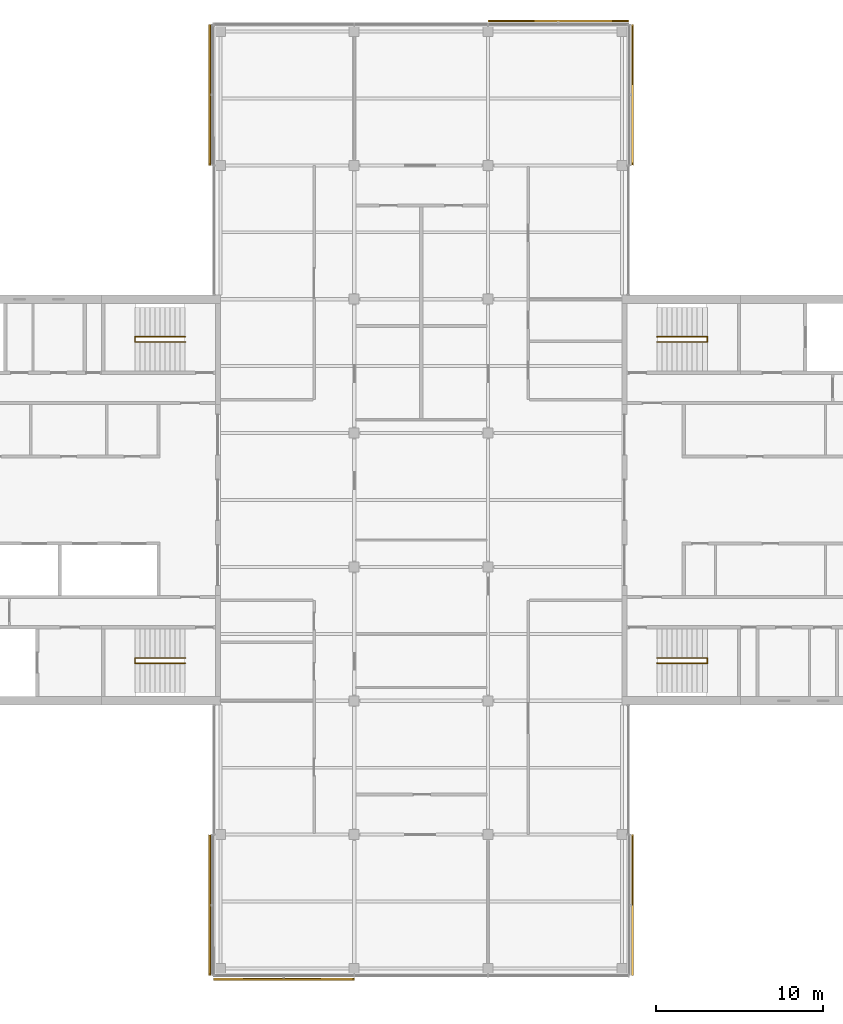
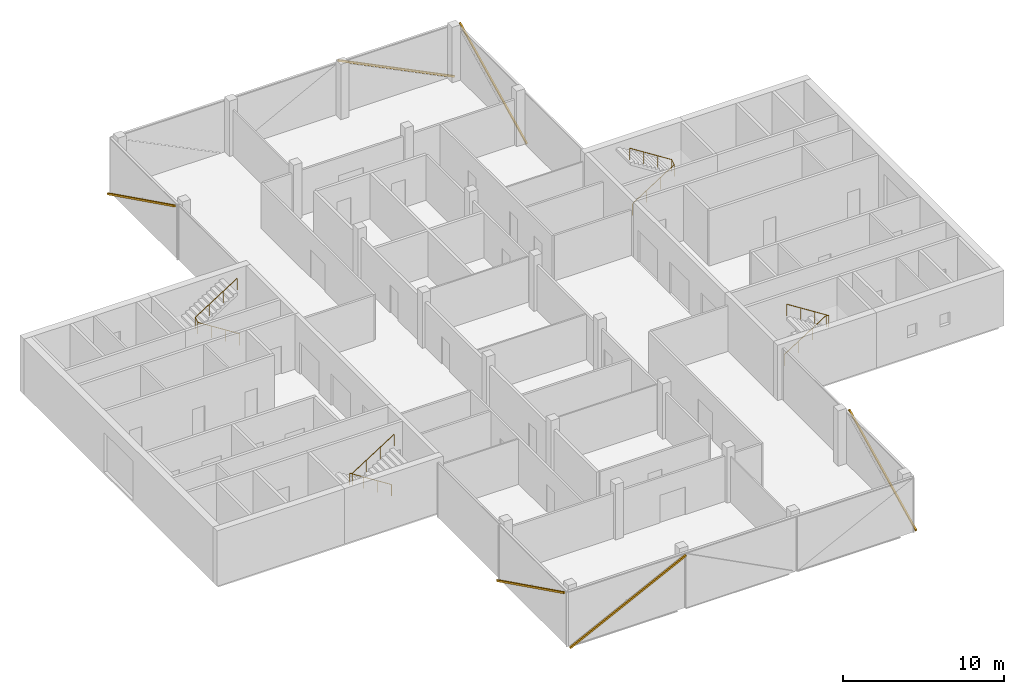
# One storey, part 16 of 16: 6 shading devices, 4 railings, 6 elements without a shape of their own.
"""IFC4 building model written with IfcOpenShell, lengths in metres."""

from ifc_helpers import new_model, si_unit, direction, frame, origin, origin_2d, place, context, subcontext, project, spatial, rectangle, circle, extrude, material, material_profile, profile_set, type_object, element, aggregate, save


model = new_model("IFC4")

# Units and contexts
model_context = context("Model", 3, precision=1e-05, world=origin(), true_north=direction((0.0, 1.0)))
body_context = subcontext(model_context, "Body", "Model", "MODEL_VIEW")
ifc_project = project(units=[si_unit("LENGTHUNIT", "METRE"), si_unit("AREAUNIT", "SQUARE_METRE"), si_unit("VOLUMEUNIT", "CUBIC_METRE"), si_unit("PLANEANGLEUNIT", "RADIAN"), si_unit("MASSUNIT", "GRAM", prefix="KILO")], contexts=[model_context])

# Site, building, storey
site_placement = place(None, origin())
site = spatial("IfcSite", under=ifc_project, at=site_placement, CompositionType="ELEMENT")
building_placement = place(site_placement, origin())
building = spatial("IfcBuilding", under=site, at=building_placement, Name="Crosswind Convention Tower", CompositionType="ELEMENT")
storey_placement = place(building_placement, frame((0.0, 0.0, 295.5)))
storey = spatial("IfcBuildingStorey", under=building, at=storey_placement, Name="L64", CompositionType="ELEMENT", Elevation=295.5)

# Railings
ifc_material_1 = material(Name="Stainless steel", Category="steel")
railing_type = type_object("IfcRailingType", Name="Stair handrail 900", PredefinedType="HANDRAIL", material=ifc_material_1)
railing_1_placement = place(storey_placement, frame((139.10009765625, 109.43994140625, 0.19091796875)))
element("IfcRailing", 1, at=railing_1_placement, inside=storey, type_object=railing_type, Name="Stair ST1 handrail L64", PredefinedType="HANDRAIL", context=body_context, shape_type="SweptSolid", body=[
    extrude(circle(Radius=0.02392578125, at=origin_2d()), frame((0.0, 0.0, 0.8759765625), z_axis=(0.843650179428, 0.0, 0.536893261973), x_axis=(0.0, 1.0, 0.0)), (0.0, 0.0, 1.0), 3.555908203125),
    extrude(circle(Radius=0.02392578125, at=origin_2d()), frame((3.0, 0.0, 2.78515625), z_axis=(0.0, 0.858819504967, 0.512278301208), x_axis=(-1.0, 0.0, 0.0)), (0.0, 0.0, 1.0), 0.372802734375),
    extrude(circle(Radius=0.02392578125, at=origin_2d()), frame((3.0, 0.320068359375, 2.97607421875), z_axis=(-0.843681277094, 0.0, 0.536844393359), x_axis=(0.0, -1.0, 0.0)), (0.0, 0.0, 1.0), 3.555908203125),
    extrude(circle(Radius=0.02099609375, at=origin_2d()), origin(), (0.0, 0.0, 1.0), 0.851806640625),
    extrude(circle(Radius=0.02099609375, at=origin_2d()), frame((1.0, 0.0, 0.636474609375)), (0.0, 0.0, 1.0), 0.851806640625),
    extrude(circle(Radius=0.02099609375, at=origin_2d()), frame((2.0, 0.0, 1.272705078125)), (0.0, 0.0, 1.0), 0.851806640625),
    extrude(circle(Radius=0.02099609375, at=origin_2d()), frame((3.0, 0.0, 1.9091796875)), (0.0, 0.0, 1.0), 0.851806640625),
    extrude(circle(Radius=0.02099609375, at=origin_2d()), frame((3.0, 0.320068359375, 2.10009765625)), (0.0, 0.0, 1.0), 0.851806640625),
    extrude(circle(Radius=0.02099609375, at=origin_2d()), frame((2.0, 0.320068359375, 2.736328125)), (0.0, 0.0, 1.0), 0.851806640625),
    extrude(circle(Radius=0.02099609375, at=origin_2d()), frame((1.0, 0.320068359375, 3.372802734375)), (0.0, 0.0, 1.0), 0.851806640625),
    extrude(circle(Radius=0.02099609375, at=origin_2d()), frame((0.0, 0.320068359375, 4.009033203125)), (0.0, 0.0, 1.0), 0.851806640625),
])
railing_2_placement = place(storey_placement, frame((139.10009765625, 90.56005859375, 0.19091796875)))
element("IfcRailing", 2, at=railing_2_placement, inside=storey, type_object=railing_type, Name="Stair ST2 handrail L64", PredefinedType="HANDRAIL", context=body_context, shape_type="SweptSolid", body=[
    extrude(circle(Radius=0.02392578125, at=origin_2d()), frame((0.0, 0.0, 0.8759765625), z_axis=(0.843650179428, 0.0, 0.536893261973), x_axis=(0.0, 1.0, 0.0)), (0.0, 0.0, 1.0), 3.555908203125),
    extrude(circle(Radius=0.02392578125, at=origin_2d()), frame((3.0, 0.0, 2.78515625), z_axis=(0.0, -0.858819504967, 0.512278301208), x_axis=(1.0, 0.0, 0.0)), (0.0, 0.0, 1.0), 0.372802734375),
    extrude(circle(Radius=0.02392578125, at=origin_2d()), frame((3.0, -0.320068359375, 2.97607421875), z_axis=(-0.843681277094, 0.0, 0.536844393359), x_axis=(0.0, -1.0, 0.0)), (0.0, 0.0, 1.0), 3.555908203125),
    extrude(circle(Radius=0.02099609375, at=origin_2d()), origin(), (0.0, 0.0, 1.0), 0.851806640625),
    extrude(circle(Radius=0.02099609375, at=origin_2d()), frame((1.0, 0.0, 0.636474609375)), (0.0, 0.0, 1.0), 0.851806640625),
    extrude(circle(Radius=0.02099609375, at=origin_2d()), frame((2.0, 0.0, 1.272705078125)), (0.0, 0.0, 1.0), 0.851806640625),
    extrude(circle(Radius=0.02099609375, at=origin_2d()), frame((3.0, 0.0, 1.9091796875)), (0.0, 0.0, 1.0), 0.851806640625),
    extrude(circle(Radius=0.02099609375, at=origin_2d()), frame((3.0, -0.320068359375, 2.10009765625)), (0.0, 0.0, 1.0), 0.851806640625),
    extrude(circle(Radius=0.02099609375, at=origin_2d()), frame((2.0, -0.320068359375, 2.736328125)), (0.0, 0.0, 1.0), 0.851806640625),
    extrude(circle(Radius=0.02099609375, at=origin_2d()), frame((1.0, -0.320068359375, 3.372802734375)), (0.0, 0.0, 1.0), 0.851806640625),
    extrude(circle(Radius=0.02099609375, at=origin_2d()), frame((0.0, -0.320068359375, 4.009033203125)), (0.0, 0.0, 1.0), 0.851806640625),
])
railing_3_placement = place(storey_placement, frame((110.89990234375, 90.56005859375, 0.19091796875)))
element("IfcRailing", 3, at=railing_3_placement, inside=storey, type_object=railing_type, Name="Stair ST3 handrail L64", PredefinedType="HANDRAIL", context=body_context, shape_type="SweptSolid", body=[
    extrude(circle(Radius=0.02392578125, at=origin_2d()), frame((0.0, 0.0, 0.8759765625), z_axis=(-0.843650179428, 0.0, 0.536893261973), x_axis=(0.0, -1.0, 0.0)), (0.0, 0.0, 1.0), 3.555908203125),
    extrude(circle(Radius=0.02392578125, at=origin_2d()), frame((-3.0, 0.0, 2.78515625), z_axis=(0.0, -0.858819504967, 0.512278301208), x_axis=(1.0, 0.0, 0.0)), (0.0, 0.0, 1.0), 0.372802734375),
    extrude(circle(Radius=0.02392578125, at=origin_2d()), frame((-3.0, -0.320068359375, 2.97607421875), z_axis=(0.843681277094, 0.0, 0.536844393359), x_axis=(0.0, 1.0, 0.0)), (0.0, 0.0, 1.0), 3.555908203125),
    extrude(circle(Radius=0.02099609375, at=origin_2d()), origin(), (0.0, 0.0, 1.0), 0.851806640625),
    extrude(circle(Radius=0.02099609375, at=origin_2d()), frame((-1.0, 0.0, 0.636474609375)), (0.0, 0.0, 1.0), 0.851806640625),
    extrude(circle(Radius=0.02099609375, at=origin_2d()), frame((-2.0, 0.0, 1.272705078125)), (0.0, 0.0, 1.0), 0.851806640625),
    extrude(circle(Radius=0.02099609375, at=origin_2d()), frame((-3.0, 0.0, 1.9091796875)), (0.0, 0.0, 1.0), 0.851806640625),
    extrude(circle(Radius=0.02099609375, at=origin_2d()), frame((-3.0, -0.320068359375, 2.10009765625)), (0.0, 0.0, 1.0), 0.851806640625),
    extrude(circle(Radius=0.02099609375, at=origin_2d()), frame((-2.0, -0.320068359375, 2.736328125)), (0.0, 0.0, 1.0), 0.851806640625),
    extrude(circle(Radius=0.02099609375, at=origin_2d()), frame((-1.0, -0.320068359375, 3.372802734375)), (0.0, 0.0, 1.0), 0.851806640625),
    extrude(circle(Radius=0.02099609375, at=origin_2d()), frame((0.0, -0.320068359375, 4.009033203125)), (0.0, 0.0, 1.0), 0.851806640625),
])
railing_4_placement = place(storey_placement, frame((110.89990234375, 109.43994140625, 0.19091796875)))
element("IfcRailing", 4, at=railing_4_placement, inside=storey, type_object=railing_type, Name="Stair ST4 handrail L64", PredefinedType="HANDRAIL", context=body_context, shape_type="SweptSolid", body=[
    extrude(circle(Radius=0.02392578125, at=origin_2d()), frame((0.0, 0.0, 0.8759765625), z_axis=(-0.843650179428, 0.0, 0.536893261973), x_axis=(0.0, -1.0, 0.0)), (0.0, 0.0, 1.0), 3.555908203125),
    extrude(circle(Radius=0.02392578125, at=origin_2d()), frame((-3.0, 0.0, 2.78515625), z_axis=(0.0, 0.858819504967, 0.512278301208), x_axis=(-1.0, 0.0, 0.0)), (0.0, 0.0, 1.0), 0.372802734375),
    extrude(circle(Radius=0.02392578125, at=origin_2d()), frame((-3.0, 0.320068359375, 2.97607421875), z_axis=(0.843681277094, 0.0, 0.536844393359), x_axis=(0.0, 1.0, 0.0)), (0.0, 0.0, 1.0), 3.555908203125),
    extrude(circle(Radius=0.02099609375, at=origin_2d()), origin(), (0.0, 0.0, 1.0), 0.851806640625),
    extrude(circle(Radius=0.02099609375, at=origin_2d()), frame((-1.0, 0.0, 0.636474609375)), (0.0, 0.0, 1.0), 0.851806640625),
    extrude(circle(Radius=0.02099609375, at=origin_2d()), frame((-2.0, 0.0, 1.272705078125)), (0.0, 0.0, 1.0), 0.851806640625),
    extrude(circle(Radius=0.02099609375, at=origin_2d()), frame((-3.0, 0.0, 1.9091796875)), (0.0, 0.0, 1.0), 0.851806640625),
    extrude(circle(Radius=0.02099609375, at=origin_2d()), frame((-3.0, 0.320068359375, 2.10009765625)), (0.0, 0.0, 1.0), 0.851806640625),
    extrude(circle(Radius=0.02099609375, at=origin_2d()), frame((-2.0, 0.320068359375, 2.736328125)), (0.0, 0.0, 1.0), 0.851806640625),
    extrude(circle(Radius=0.02099609375, at=origin_2d()), frame((-1.0, 0.320068359375, 3.372802734375)), (0.0, 0.0, 1.0), 0.851806640625),
    extrude(circle(Radius=0.02099609375, at=origin_2d()), frame((0.0, 0.320068359375, 4.009033203125)), (0.0, 0.0, 1.0), 0.851806640625),
])

# Curtain wall, shading device
ifc_material_2 = material(Name="Aluminium unitised curtain wall", Category="aluminium")
curtain_wall_type = type_object("IfcCurtainWallType", Name="OFFICE UNITISED WALL 220", PredefinedType="USERDEFINED", material=ifc_material_2)
curtain_wall_1_placement = place(storey_placement, origin())
curtain_wall_1 = element("IfcCurtainWall", 5, at=curtain_wall_1_placement, inside=storey, type_object=curtain_wall_type, Name="CW3 L64 N-E 1", ObjectType="UNITISED", PredefinedType="USERDEFINED")
ifc_material_3 = material(Name="Extruded terracotta", Category="masonry")
ifc_material_profile = material_profile(ifc_material_3, rectangle(XDim=0.110107421875, YDim=0.1298828125, at=origin_2d()), Name="TC 110X130")
ifc_profile_set = profile_set([ifc_material_profile], Name="Extruded terracotta")
shading_device_type = type_object("IfcShadingDeviceType", Name="TERRACOTTA BAGUETTE 130X110", PredefinedType="USERDEFINED", material=ifc_profile_set)
shading_device_1_placement = place(storey_placement, frame((137.631103515625, 120.034912109375, -0.300048828125), z_axis=(0.0, 0.896136229865, 0.443779063863), x_axis=(-1.0, 0.0, 0.0)))
shading_device_1 = element("IfcShadingDevice", 6, at=shading_device_1_placement, type_object=shading_device_type, Name="CW3 terracotta baguette 1", ObjectType="BAGUETTE", PredefinedType="USERDEFINED", context=body_context, shape_type="SweptSolid", body=[
    extrude(rectangle(XDim=0.110107421875, YDim=0.1298828125, at=origin_2d()), origin(), (0.0, 0.0, 1.0), 9.306640625),
])
aggregate(curtain_wall_1, [shading_device_1])

curtain_wall_2_placement = place(storey_placement, origin())
curtain_wall_2 = element("IfcCurtainWall", 7, at=curtain_wall_2_placement, inside=storey, type_object=curtain_wall_type, Name="CW3 L64 N-TIP 1", ObjectType="UNITISED", PredefinedType="USERDEFINED")
shading_device_2_placement = place(storey_placement, frame((137.375, 128.631103515625, -0.300048828125), z_axis=(-0.896136229865, 0.0, 0.443779063863), x_axis=(0.0, -1.0, 0.0)))
shading_device_2 = element("IfcShadingDevice", 8, at=shading_device_2_placement, type_object=shading_device_type, Name="CW3 terracotta baguette 1", ObjectType="BAGUETTE", PredefinedType="USERDEFINED", context=body_context, shape_type="SweptSolid", body=[
    extrude(rectangle(XDim=0.110107421875, YDim=0.1298828125, at=origin_2d()), origin(), (0.0, 0.0, 1.0), 9.306640625),
])
aggregate(curtain_wall_2, [shading_device_2])

curtain_wall_3_placement = place(storey_placement, origin())
curtain_wall_3 = element("IfcCurtainWall", 9, at=curtain_wall_3_placement, inside=storey, type_object=curtain_wall_type, Name="CW3 L64 N-W 1", ObjectType="UNITISED", PredefinedType="USERDEFINED")
shading_device_3_placement = place(storey_placement, frame((112.368896484375, 128.375, -0.300048828125), z_axis=(0.0, -0.896136229865, 0.443779063863), x_axis=(1.0, 0.0, 0.0)))
shading_device_3 = element("IfcShadingDevice", 10, at=shading_device_3_placement, type_object=shading_device_type, Name="CW3 terracotta baguette 1", ObjectType="BAGUETTE", PredefinedType="USERDEFINED", context=body_context, shape_type="SweptSolid", body=[
    extrude(rectangle(XDim=0.110107421875, YDim=0.1298828125, at=origin_2d()), origin(), (0.0, 0.0, 1.0), 9.306640625),
])
aggregate(curtain_wall_3, [shading_device_3])

curtain_wall_4_placement = place(storey_placement, origin())
curtain_wall_4 = element("IfcCurtainWall", 11, at=curtain_wall_4_placement, inside=storey, type_object=curtain_wall_type, Name="CW3 L64 S-W 1", ObjectType="UNITISED", PredefinedType="USERDEFINED")
shading_device_4_placement = place(storey_placement, frame((112.368896484375, 79.965087890625, -0.300048828125), z_axis=(0.0, -0.896136229865, 0.443779063863), x_axis=(1.0, 0.0, 0.0)))
shading_device_4 = element("IfcShadingDevice", 12, at=shading_device_4_placement, type_object=shading_device_type, Name="CW3 terracotta baguette 1", ObjectType="BAGUETTE", PredefinedType="USERDEFINED", context=body_context, shape_type="SweptSolid", body=[
    extrude(rectangle(XDim=0.110107421875, YDim=0.1298828125, at=origin_2d()), origin(), (0.0, 0.0, 1.0), 9.306640625),
])
aggregate(curtain_wall_4, [shading_device_4])

curtain_wall_5_placement = place(storey_placement, origin())
curtain_wall_5 = element("IfcCurtainWall", 13, at=curtain_wall_5_placement, inside=storey, type_object=curtain_wall_type, Name="CW3 L64 S-TIP 1", ObjectType="UNITISED", PredefinedType="USERDEFINED")
shading_device_5_placement = place(storey_placement, frame((112.625, 71.368896484375, -0.300048828125), z_axis=(0.896136229865, 0.0, 0.443779063863), x_axis=(0.0, 1.0, 0.0)))
shading_device_5 = element("IfcShadingDevice", 14, at=shading_device_5_placement, type_object=shading_device_type, Name="CW3 terracotta baguette 1", ObjectType="BAGUETTE", PredefinedType="USERDEFINED", context=body_context, shape_type="SweptSolid", body=[
    extrude(rectangle(XDim=0.110107421875, YDim=0.1298828125, at=origin_2d()), origin(), (0.0, 0.0, 1.0), 9.306640625),
])
aggregate(curtain_wall_5, [shading_device_5])

curtain_wall_6_placement = place(storey_placement, origin())
curtain_wall_6 = element("IfcCurtainWall", 15, at=curtain_wall_6_placement, inside=storey, type_object=curtain_wall_type, Name="CW3 L64 S-E 1", ObjectType="UNITISED", PredefinedType="USERDEFINED")
shading_device_6_placement = place(storey_placement, frame((137.631103515625, 71.625, -0.300048828125), z_axis=(0.0, 0.896136229865, 0.443779063863), x_axis=(-1.0, 0.0, 0.0)))
shading_device_6 = element("IfcShadingDevice", 16, at=shading_device_6_placement, type_object=shading_device_type, Name="CW3 terracotta baguette 1", ObjectType="BAGUETTE", PredefinedType="USERDEFINED", context=body_context, shape_type="SweptSolid", body=[
    extrude(rectangle(XDim=0.110107421875, YDim=0.1298828125, at=origin_2d()), origin(), (0.0, 0.0, 1.0), 9.306640625),
])
aggregate(curtain_wall_6, [shading_device_6])

save(model, "model.ifc")
